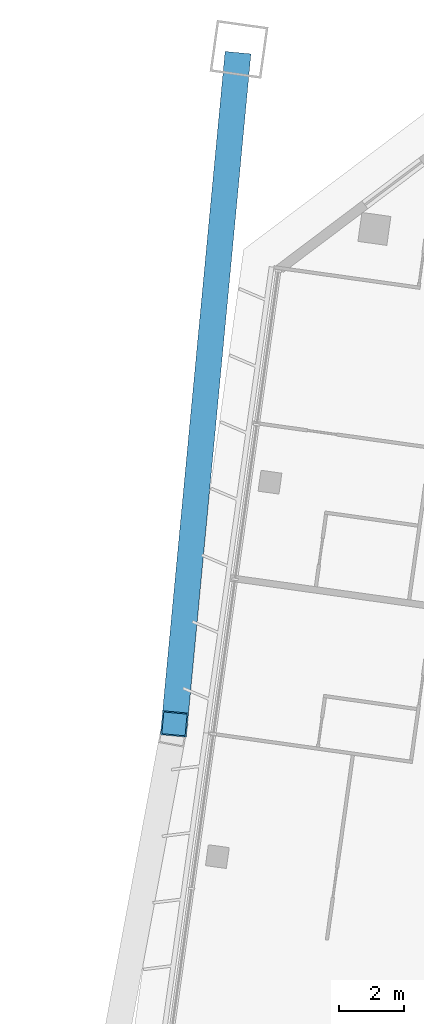
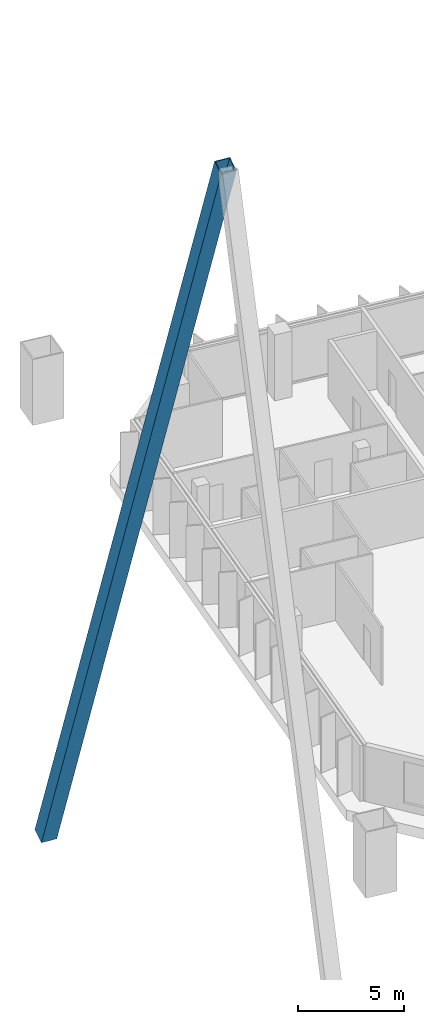
# One storey, part 5 of 33: 1 member.
"""IFC4 building model written with IfcOpenShell, lengths in metres."""

from ifc_helpers import new_model, si_unit, direction, frame, origin, origin_2d, place, context, subcontext, project, spatial, hollow_rectangle, extrude, material, material_profile, profile_set, type_object, element, save


model = new_model("IFC4")

# Units and contexts
model_context = context("Model", 3, precision=1e-05, world=origin(), true_north=direction((0.0, 1.0)))
body_context = subcontext(model_context, "Body", "Model", "MODEL_VIEW")
ifc_project = project(units=[si_unit("LENGTHUNIT", "METRE"), si_unit("AREAUNIT", "SQUARE_METRE"), si_unit("VOLUMEUNIT", "CUBIC_METRE"), si_unit("PLANEANGLEUNIT", "RADIAN"), si_unit("MASSUNIT", "GRAM", prefix="KILO")], contexts=[model_context])

# Site, building, storey
site_placement = place(None, origin())
site = spatial("IfcSite", under=ifc_project, at=site_placement, CompositionType="ELEMENT")
building_placement = place(site_placement, origin())
building = spatial("IfcBuilding", under=site, at=building_placement, Name="Mirante Cascada Hotel Towers", CompositionType="ELEMENT")
storey_placement = place(building_placement, frame((0.0, 0.0, 121.5)))
storey = spatial("IfcBuildingStorey", under=building, at=storey_placement, Name="L27", CompositionType="ELEMENT", Elevation=121.5)

# Member
ifc_material = material(Name="Steel ASTM A572 Gr 50", Category="steel")
ifc_material_profile = material_profile(ifc_material, hollow_rectangle(XDim=0.8, YDim=0.8, WallThickness=0.04, at=origin_2d()), Name="Box brace 800x800x40 ASTM A572 Gr 50")
ifc_profile_set = profile_set([ifc_material_profile], Name="Steel ASTM A572 Gr 50")
member_type = type_object("IfcMemberType", Name="Box brace 800x800x40 ASTM A572 Gr 50", PredefinedType="BRACE", material=ifc_profile_set)
member_placement = place(storey_placement, frame((-100.4237, 28.6211, -23.9841), z_axis=(-0.0347022, -0.3664528, 0.9297893), x_axis=(0.9955461, -0.0942759, 0.0)))
element("IfcMember", 1, at=member_placement, inside=storey, type_object=member_type, Name="brace T1 L27 2", PredefinedType="BRACE", context=body_context, shape_type="SweptSolid", body=[
    extrude(hollow_rectangle(XDim=0.8, YDim=0.8, WallThickness=0.04, at=origin_2d()), origin(), (0.0, 0.0, 1.0), 55.4287),
])

save(model, "model.ifc")
